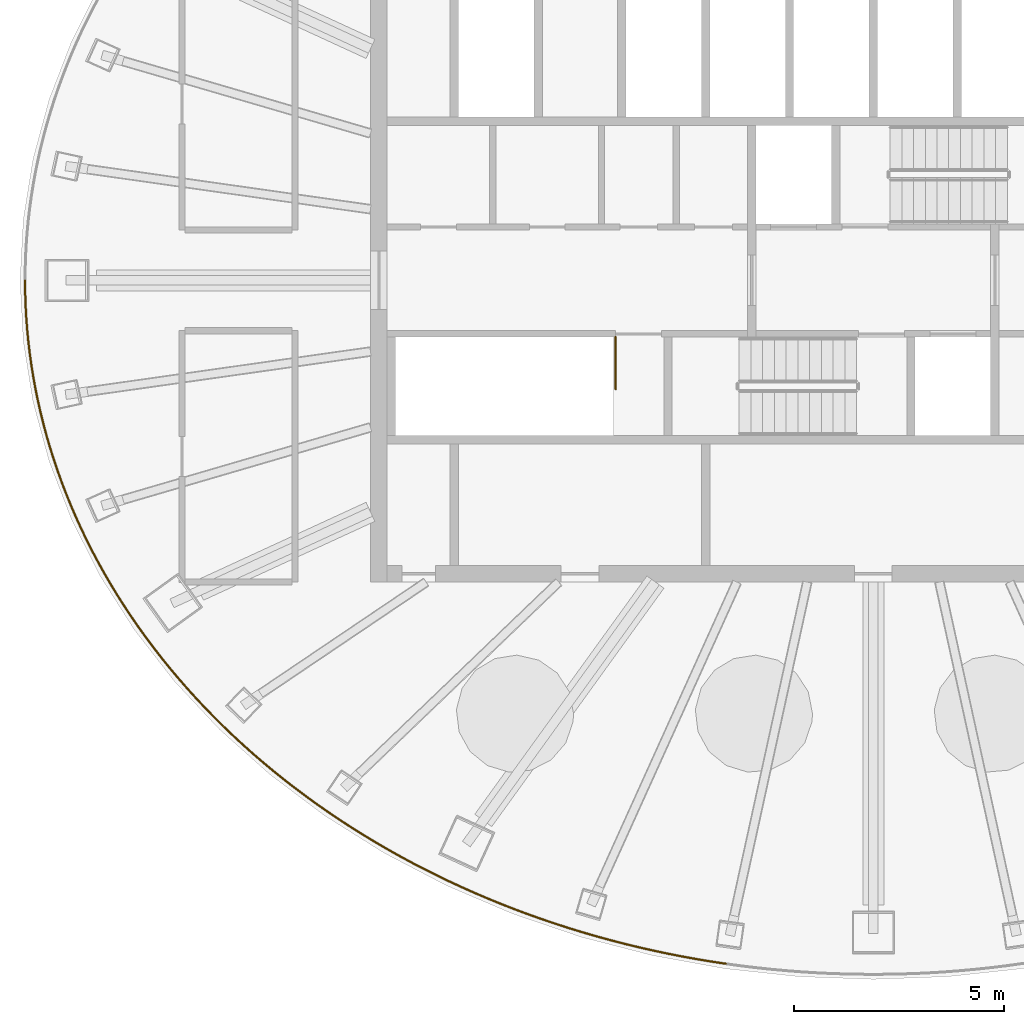
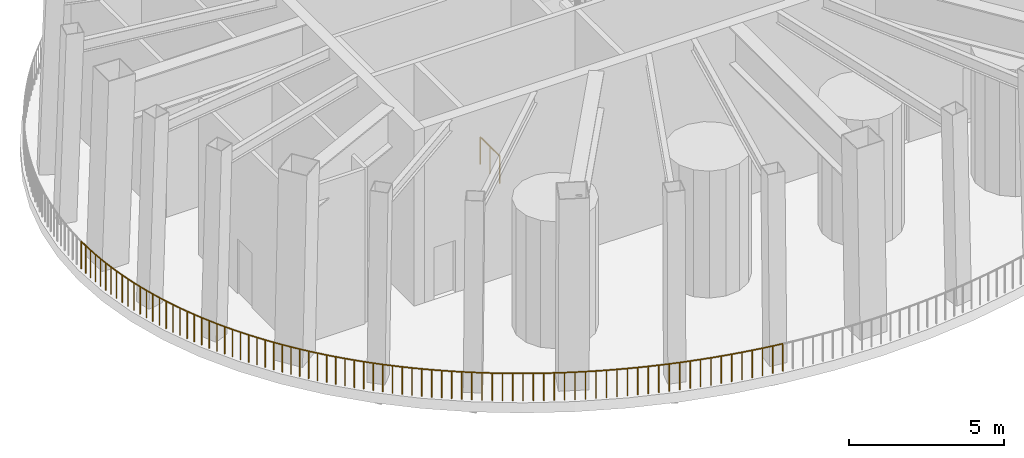
# One storey, part 6 of 12: 9 railings.
"""IFC4 building model written with IfcOpenShell, lengths in metres."""

import ifcopenshell
import ifcopenshell.guid

model = None  # the IFC model being written
_history = None  # IfcOwnerHistory: only IFC2X3 demands one
_inside = {}  # id of a spatial element -> (the spatial element, [elements in it])
_under = {}  # id of a project, library or spatial element -> (it, [spatial elements below it])
_declared = {}  # id of a project -> (the project, [libraries it declares])
_typed = {}  # id of a type object -> (the type object, [elements of that type])
_made_of = {}  # id of a material, layer set ... -> (it, [elements and type objects made of it])


def new_model(schema):
    """Start an empty IFC model of exactly this schema.

    Asked for "IFC4X3", IfcOpenShell would pick the latest addendum, in which some entities
    have other attributes; the version numbers below select the first issue.
    IFC2X3 requires an IfcOwnerHistory on every rooted entity: one is made here for all.
    """
    global model, _history
    if schema == "IFC4X3":
        model = ifcopenshell.file(schema_version=(4, 3, 0, 0))
    else:
        model = ifcopenshell.file(schema=schema)
    _inside.clear()
    _under.clear()
    _declared.clear()
    _typed.clear()
    _made_of.clear()
    _history = None
    if model.schema == "IFC2X3":
        org = make("IfcOrganization", Name="unknown")
        user = make(
            "IfcPersonAndOrganization",
            ThePerson=make("IfcPerson", FamilyName="unknown"),
            TheOrganization=org,
        )
        app = make(
            "IfcApplication",
            ApplicationDeveloper=org,
            Version="unknown",
            ApplicationFullName="unknown",
            ApplicationIdentifier="unknown",
        )
        _history = make(
            "IfcOwnerHistory",
            OwningUser=user,
            OwningApplication=app,
            ChangeAction="ADDED",
            CreationDate=0,
        )
    return model


def make(cls, **values):
    """One entity of the class cls with the attributes given. An attribute that is None is left unset."""
    return model.create_entity(
        cls, **{name: value for name, value in values.items() if value is not None}
    )


def rooted(cls, **values):
    """An entity with a GlobalId (a new one), such as an element, a storey or a relation."""
    return make(cls, GlobalId=ifcopenshell.guid.new(), OwnerHistory=_history, **values)


def si_unit(unit_type, name, prefix=None):
    """IfcSIUnit, for example si_unit("LENGTHUNIT", "METRE", prefix="MILLI")."""
    return make("IfcSIUnit", UnitType=unit_type, Prefix=prefix, Name=name)


def assignment(units):
    """IfcUnitAssignment: the units of a project."""
    return None if units is None else make("IfcUnitAssignment", Units=units)


def point(xyz):
    """IfcCartesianPoint."""
    return None if xyz is None else make("IfcCartesianPoint", Coordinates=xyz)


def direction(xyz):
    """IfcDirection."""
    return None if xyz is None else make("IfcDirection", DirectionRatios=xyz)


def frame(location, z_axis=None, x_axis=None):
    """IfcAxis2Placement3D, a coordinate frame: its origin and axes. An axis left out is left unset."""
    return make(
        "IfcAxis2Placement3D",
        Location=point(location),
        Axis=direction(z_axis),
        RefDirection=direction(x_axis),
    )


def frame_2d(location, x_axis=None):
    """IfcAxis2Placement2D, a coordinate frame in the plane: its origin and x axis."""
    return make(
        "IfcAxis2Placement2D", Location=point(location), RefDirection=direction(x_axis)
    )


def origin():
    """The frame at (0, 0, 0) with its axes left unset."""
    return frame((0.0, 0.0, 0.0))


def origin_2d():
    """The frame at (0, 0) in the plane with its x axis left unset."""
    return frame_2d((0.0, 0.0))


def place(relative_to, where):
    """IfcLocalPlacement: puts the frame where relative to a parent placement (None: the world)."""
    return make(
        "IfcLocalPlacement", PlacementRelTo=relative_to, RelativePlacement=where
    )


def context(
    kind, dimensions, precision=None, world=None, true_north=None, identifier=None
):
    """IfcGeometricRepresentationContext, for example the 3D "Model" context."""
    return make(
        "IfcGeometricRepresentationContext",
        ContextIdentifier=identifier,
        ContextType=kind,
        CoordinateSpaceDimension=dimensions,
        Precision=precision,
        WorldCoordinateSystem=world,
        TrueNorth=true_north,
    )


def subcontext(parent, identifier, kind, view, scale=None):
    """IfcGeometricRepresentationSubContext, for example "Body" below "Model"."""
    return make(
        "IfcGeometricRepresentationSubContext",
        ContextIdentifier=identifier,
        ContextType=kind,
        ParentContext=parent,
        TargetScale=scale,
        TargetView=view,
    )


def project(units=None, contexts=None):
    """IfcProject with its units and contexts."""
    return rooted(
        "IfcProject",
        Name="project",
        RepresentationContexts=contexts,
        UnitsInContext=assignment(units),
    )


def spatial(cls, under=None, at=None, **own):
    """A site, building, storey or space (cls), placed at a placement, below another one or the project."""
    s = rooted(cls, ObjectPlacement=at, **own)
    if under is not None:
        _under.setdefault(under.id(), (under, []))[1].append(s)
    return s


def profile(cls, at=None, kind="AREA", **sizes):
    """A parametric profile (cls). Its sizes go by their IFC names, for example OverallWidth=200.0."""
    return make(cls, ProfileType=kind, Position=at, **sizes)


def circle(**sizes):
    """IfcCircleProfileDef."""
    return profile("IfcCircleProfileDef", **sizes)


def extrude(swept, where, along, depth):
    """IfcExtrudedAreaSolid: the profile swept, set in the frame where, extruded along a direction by depth."""
    return make(
        "IfcExtrudedAreaSolid",
        SweptArea=swept,
        Position=where,
        ExtrudedDirection=direction(along),
        Depth=depth,
    )


def shape(context_of_items, identifier, shape_type, items):
    """IfcShapeRepresentation: the items that make up one representation, for example the "Body"."""
    return make(
        "IfcShapeRepresentation",
        ContextOfItems=context_of_items,
        RepresentationIdentifier=identifier,
        RepresentationType=shape_type,
        Items=items,
    )


def material(Name=None, Category=None):
    """IfcMaterial."""
    return make("IfcMaterial", Name=Name, Category=Category)


def made_of(thing, what):
    """Note that an element or type object is made of a material, layer set ...; save() writes the relation."""
    if what is not None:
        _made_of.setdefault(what.id(), (what, []))[1].append(thing)
    return thing


def type_object(cls, material=None, **own):
    """A type object (cls), such as IfcWallType, which elements share."""
    return made_of(rooted(cls, **own), material)


def element(
    cls,
    number,
    at=None,
    inside=None,
    cuts=None,
    type_object=None,
    material=None,
    context=None,
    identifier="Body",
    shape_type=None,
    held_by="IfcProductDefinitionShape",
    body=None,
    shapes=None,
    **own,
):
    """One element of the class cls, such as IfcWall. Its Tag is "e" and its number.

    at: its placement. inside: the storey or other place that contains it. cuts: it is an
    opening in that element (IfcRelVoidsElement). A single representation is given by context,
    identifier, shape_type and body (its items); several are given by shapes. held_by: the class
    of the entity that holds the representations. save() writes the other relations.
    """
    e = rooted(cls, Tag="e%d" % number, ObjectPlacement=at, **own)
    if body is not None:
        shapes = [shape(context, identifier, shape_type, body)]
    if shapes is not None:
        e.Representation = make(held_by, Representations=shapes)
    if inside is not None:
        _inside.setdefault(inside.id(), (inside, []))[1].append(e)
    if cuts is not None:
        rooted(
            "IfcRelVoidsElement", RelatingBuildingElement=cuts, RelatedOpeningElement=e
        )
    if type_object is not None:
        _typed.setdefault(type_object.id(), (type_object, []))[1].append(e)
    return made_of(e, material)


def aggregate(whole, parts):
    """IfcRelAggregates: a whole, such as a stair, and the parts it consists of."""
    return rooted("IfcRelAggregates", RelatingObject=whole, RelatedObjects=parts)


def save(model, path):
    """Write the relations noted so far, then the file.

    IfcRelAggregates (storeys below a building ...), IfcRelContainedInSpatialStructure (elements
    in a storey), IfcRelDefinesByType, IfcRelAssociatesMaterial and IfcRelDeclares: one each for
    every whole, place, type object, material and project.
    """
    for whole, parts in _under.values():
        aggregate(whole, parts)
    for where, things in _inside.values():
        rooted(
            "IfcRelContainedInSpatialStructure",
            RelatedElements=things,
            RelatingStructure=where,
        )
    for kind, things in _typed.values():
        rooted("IfcRelDefinesByType", RelatedObjects=things, RelatingType=kind)
    for what, things in _made_of.values():
        rooted("IfcRelAssociatesMaterial", RelatedObjects=things, RelatingMaterial=what)
    for by, libraries in _declared.values():
        rooted("IfcRelDeclares", RelatingContext=by, RelatedDefinitions=libraries)
    model.write(path)


model = new_model("IFC4")

# Units and contexts
model_context = context("Model", 3, precision=1e-05, world=origin(), true_north=direction((0.0, 1.0)))
body_context = subcontext(model_context, "Body", "Model", "MODEL_VIEW")
ifc_project = project(units=[si_unit("LENGTHUNIT", "METRE"), si_unit("AREAUNIT", "SQUARE_METRE"), si_unit("VOLUMEUNIT", "CUBIC_METRE"), si_unit("PLANEANGLEUNIT", "RADIAN"), si_unit("MASSUNIT", "GRAM", prefix="KILO")], contexts=[model_context])

# Site, building, storey
site_placement = place(None, origin())
site = spatial("IfcSite", under=ifc_project, at=site_placement, CompositionType="ELEMENT")
building_placement = place(site_placement, origin())
building = spatial("IfcBuilding", under=site, at=building_placement, Name="Siaravel Broadcast Tower", CompositionType="ELEMENT")
storey_placement = place(building_placement, frame((0.0, 0.0, 265.199951171875)))
storey = spatial("IfcBuildingStorey", under=building, at=storey_placement, Name="L65", CompositionType="ELEMENT", Elevation=265.199951171875)

# Railings
ifc_material_1 = material(Name="Steel S355", Category="steel")
railing_type_1 = type_object("IfcRailingType", Name="Guard 1100", PredefinedType="GUARDRAIL", material=ifc_material_1)
railing_1_placement = place(storey_placement, frame((-20.243408203125, 0.0, 0.0)))
element("IfcRailing", 1, at=railing_1_placement, inside=storey, type_object=railing_type_1, Name="L65 turbine slot guard 19", PredefinedType="GUARDRAIL", context=body_context, shape_type="SweptSolid", body=[
    extrude(circle(Radius=0.02392578125, at=origin_2d()), frame((0.0, 0.0, 1.076171875), z_axis=(0.010134615, -0.999948643, 0.0), x_axis=(0.999948643, 0.010134615, 0.0)), (0.0, 0.0, 1.0), 0.2890625),
    extrude(circle(Radius=0.02392578125, at=origin_2d()), frame((0.0029296875, -0.2890625, 1.076171875), z_axis=(0.032105166, -0.999484496, 0.0), x_axis=(0.999484496, 0.032105166, 0.0)), (0.0, 0.0, 1.0), 0.2890625),
    extrude(circle(Radius=0.02392578125, at=origin_2d()), frame((0.01220703125, -0.577880859375, 1.076171875), z_axis=(0.053179082, -0.998584991, 0.0), x_axis=(0.998584991, 0.053179082, 0.0)), (0.0, 0.0, 1.0), 0.289306640625),
    extrude(circle(Radius=0.02392578125, at=origin_2d()), frame((0.027587890625, -0.86669921875, 1.076171875), z_axis=(0.075083566, -0.997177245, 0.0), x_axis=(0.997177245, 0.075083566, 0.0)), (0.0, 0.0, 1.0), 0.289306640625),
    extrude(circle(Radius=0.02392578125, at=origin_2d()), frame((0.04931640625, -1.1552734375, 1.076171875), z_axis=(0.095326613, -0.995446049, 0.0), x_axis=(0.995446049, 0.095326613, 0.0)), (0.0, 0.0, 1.0), 0.289306640625),
    extrude(circle(Radius=0.02392578125, at=origin_2d()), frame((0.076904296875, -1.443359375, 1.076171875), z_axis=(0.117183639, -0.993110263, 0.0), x_axis=(0.993110263, 0.117183639, 0.0)), (0.0, 0.0, 1.0), 0.28955078125),
    extrude(circle(Radius=0.02392578125, at=origin_2d()), frame((0.11083984375, -1.73095703125, 1.076171875), z_axis=(0.138004072, -0.990431662, 0.0), x_axis=(0.990431662, 0.138004072, 0.0)), (0.0, 0.0, 1.0), 0.2900390625),
    extrude(circle(Radius=0.02392578125, at=origin_2d()), frame((0.15087890625, -2.018310546875, 1.076171875), z_axis=(0.159073665, -0.987266716, 0.0), x_axis=(0.987266716, 0.159073665, 0.0)), (0.0, 0.0, 1.0), 0.2900390625),
    extrude(circle(Radius=0.02392578125, at=origin_2d()), frame((0.197021484375, -2.3046875, 1.076171875), z_axis=(0.178959374, -0.983856464, 0.0), x_axis=(0.983856464, 0.178959374, 0.0)), (0.0, 0.0, 1.0), 0.29052734375),
    extrude(circle(Radius=0.02392578125, at=origin_2d()), frame((0.2490234375, -2.590576171875, 1.076171875), z_axis=(0.200634296, -0.979666208, 0.0), x_axis=(0.979666208, 0.200634296, 0.0)), (0.0, 0.0, 1.0), 0.290771484375),
    extrude(circle(Radius=0.02099609375, at=origin_2d()), origin(), (0.0, 0.0, 1.0), 1.052001953125),
    extrude(circle(Radius=0.02099609375, at=origin_2d()), frame((0.0029296875, -0.2890625, 0.0)), (0.0, 0.0, 1.0), 1.052001953125),
    extrude(circle(Radius=0.02099609375, at=origin_2d()), frame((0.01220703125, -0.577880859375, 0.0)), (0.0, 0.0, 1.0), 1.052001953125),
    extrude(circle(Radius=0.02099609375, at=origin_2d()), frame((0.027587890625, -0.86669921875, 0.0)), (0.0, 0.0, 1.0), 1.052001953125),
    extrude(circle(Radius=0.02099609375, at=origin_2d()), frame((0.04931640625, -1.1552734375, 0.0)), (0.0, 0.0, 1.0), 1.052001953125),
    extrude(circle(Radius=0.02099609375, at=origin_2d()), frame((0.076904296875, -1.443359375, 0.0)), (0.0, 0.0, 1.0), 1.052001953125),
    extrude(circle(Radius=0.02099609375, at=origin_2d()), frame((0.11083984375, -1.73095703125, 0.0)), (0.0, 0.0, 1.0), 1.052001953125),
    extrude(circle(Radius=0.02099609375, at=origin_2d()), frame((0.15087890625, -2.018310546875, 0.0)), (0.0, 0.0, 1.0), 1.052001953125),
    extrude(circle(Radius=0.02099609375, at=origin_2d()), frame((0.197021484375, -2.3046875, 0.0)), (0.0, 0.0, 1.0), 1.052001953125),
    extrude(circle(Radius=0.02099609375, at=origin_2d()), frame((0.2490234375, -2.590576171875, 0.0)), (0.0, 0.0, 1.0), 1.052001953125),
    extrude(circle(Radius=0.02099609375, at=origin_2d()), frame((0.307373046875, -2.87548828125, 0.0)), (0.0, 0.0, 1.0), 1.052001953125),
])
railing_2_placement = place(storey_placement, frame((-19.93603515625, -2.87548828125, 0.0)))
element("IfcRailing", 2, at=railing_2_placement, inside=storey, type_object=railing_type_1, Name="L65 turbine slot guard 20", PredefinedType="GUARDRAIL", context=body_context, shape_type="SweptSolid", body=[
    extrude(circle(Radius=0.02392578125, at=origin_2d()), frame((0.0, 0.0, 1.076171875), z_axis=(0.221005948, -0.97527246, 0.0), x_axis=(0.97527246, 0.221005948, 0.0)), (0.0, 0.0, 1.0), 0.291748046875),
    extrude(circle(Radius=0.02392578125, at=origin_2d()), frame((0.064453125, -0.284423828125, 1.076171875), z_axis=(0.241748252, -0.970339004, 0.0), x_axis=(0.970339004, 0.241748252, 0.0)), (0.0, 0.0, 1.0), 0.291748046875),
    extrude(circle(Radius=0.02392578125, at=origin_2d()), frame((0.135009765625, -0.567626953125, 1.076171875), z_axis=(0.261561451, -0.965186825, 0.0), x_axis=(0.965186825, 0.261561451, 0.0)), (0.0, 0.0, 1.0), 0.292236328125),
    extrude(circle(Radius=0.02392578125, at=origin_2d()), frame((0.21142578125, -0.849609375, 1.076171875), z_axis=(0.281760113, -0.959484882, 0.0), x_axis=(0.959484882, 0.281760113, 0.0)), (0.0, 0.0, 1.0), 0.29296875),
    extrude(circle(Radius=0.02392578125, at=origin_2d()), frame((0.2939453125, -1.130615234375, 1.076171875), z_axis=(0.301211011, -0.953557511, 0.0), x_axis=(0.953557511, 0.301211011, 0.0)), (0.0, 0.0, 1.0), 0.29345703125),
    extrude(circle(Radius=0.02392578125, at=origin_2d()), frame((0.38232421875, -1.410400390625, 1.076171875), z_axis=(0.320951026, -0.947095792, 0.0), x_axis=(0.947095792, 0.320951026, 0.0)), (0.0, 0.0, 1.0), 0.29443359375),
    extrude(circle(Radius=0.02392578125, at=origin_2d()), frame((0.476806640625, -1.689208984375, 1.076171875), z_axis=(0.340478966, -0.940252133, 0.0), x_axis=(0.940252133, 0.340478966, 0.0)), (0.0, 0.0, 1.0), 0.294677734375),
    extrude(circle(Radius=0.02392578125, at=origin_2d()), frame((0.5771484375, -1.96630859375, 1.076171875), z_axis=(0.359810351, -0.933025461, 0.0), x_axis=(0.933025461, 0.359810351, 0.0)), (0.0, 0.0, 1.0), 0.295166015625),
    extrude(circle(Radius=0.02392578125, at=origin_2d()), frame((0.683349609375, -2.24169921875, 1.076171875), z_axis=(0.378343965, -0.925665082, 0.0), x_axis=(0.925665082, 0.378343965, 0.0)), (0.0, 0.0, 1.0), 0.296142578125),
    extrude(circle(Radius=0.02392578125, at=origin_2d()), frame((0.79541015625, -2.515869140625, 1.076171875), z_axis=(0.397191994, -0.917735539, 0.0), x_axis=(0.917735539, 0.397191994, 0.0)), (0.0, 0.0, 1.0), 0.296875),
    extrude(circle(Radius=0.02099609375, at=origin_2d()), origin(), (0.0, 0.0, 1.0), 1.052001953125),
    extrude(circle(Radius=0.02099609375, at=origin_2d()), frame((0.064453125, -0.284423828125, 0.0)), (0.0, 0.0, 1.0), 1.052001953125),
    extrude(circle(Radius=0.02099609375, at=origin_2d()), frame((0.135009765625, -0.567626953125, 0.0)), (0.0, 0.0, 1.0), 1.052001953125),
    extrude(circle(Radius=0.02099609375, at=origin_2d()), frame((0.21142578125, -0.849609375, 0.0)), (0.0, 0.0, 1.0), 1.052001953125),
    extrude(circle(Radius=0.02099609375, at=origin_2d()), frame((0.2939453125, -1.130615234375, 0.0)), (0.0, 0.0, 1.0), 1.052001953125),
    extrude(circle(Radius=0.02099609375, at=origin_2d()), frame((0.38232421875, -1.410400390625, 0.0)), (0.0, 0.0, 1.0), 1.052001953125),
    extrude(circle(Radius=0.02099609375, at=origin_2d()), frame((0.476806640625, -1.689208984375, 0.0)), (0.0, 0.0, 1.0), 1.052001953125),
    extrude(circle(Radius=0.02099609375, at=origin_2d()), frame((0.5771484375, -1.96630859375, 0.0)), (0.0, 0.0, 1.0), 1.052001953125),
    extrude(circle(Radius=0.02099609375, at=origin_2d()), frame((0.683349609375, -2.24169921875, 0.0)), (0.0, 0.0, 1.0), 1.052001953125),
    extrude(circle(Radius=0.02099609375, at=origin_2d()), frame((0.79541015625, -2.515869140625, 0.0)), (0.0, 0.0, 1.0), 1.052001953125),
    extrude(circle(Radius=0.02099609375, at=origin_2d()), frame((0.913330078125, -2.788330078125, 0.0)), (0.0, 0.0, 1.0), 1.052001953125),
])
railing_3_placement = place(storey_placement, frame((-19.022705078125, -5.663818359375, 0.0)))
element("IfcRailing", 3, at=railing_3_placement, inside=storey, type_object=railing_type_1, Name="L65 turbine slot guard 21", PredefinedType="GUARDRAIL", context=body_context, shape_type="SweptSolid", body=[
    extrude(circle(Radius=0.02392578125, at=origin_2d()), frame((0.0, 0.0, 1.076171875), z_axis=(0.415779141, -0.909465616, 0.0), x_axis=(0.909465616, 0.415779141, 0.0)), (0.0, 0.0, 1.0), 0.297607421875),
    extrude(circle(Radius=0.02392578125, at=origin_2d()), frame((0.123779296875, -0.270751953125, 1.076171875), z_axis=(0.434085971, -0.90087145, 0.0), x_axis=(0.90087145, 0.434085971, 0.0)), (0.0, 0.0, 1.0), 0.298583984375),
    extrude(circle(Radius=0.02392578125, at=origin_2d()), frame((0.25341796875, -0.539794921875, 1.076171875), z_axis=(0.451453693, -0.89229455, 0.0), x_axis=(0.89229455, 0.451453693, 0.0)), (0.0, 0.0, 1.0), 0.299072265625),
    extrude(circle(Radius=0.02392578125, at=origin_2d()), frame((0.388427734375, -0.806640625, 1.076171875), z_axis=(0.469194862, -0.883094662, 0.0), x_axis=(0.883094662, 0.469194862, 0.0)), (0.0, 0.0, 1.0), 0.30029296875),
    extrude(circle(Radius=0.02392578125, at=origin_2d()), frame((0.529296875, -1.07177734375, 1.076171875), z_axis=(0.487294272, -0.873237821, 0.0), x_axis=(0.873237821, 0.487294272, 0.0)), (0.0, 0.0, 1.0), 0.301025390625),
    extrude(circle(Radius=0.02392578125, at=origin_2d()), frame((0.676025390625, -1.334716796875, 1.076171875), z_axis=(0.503519221, -0.863984024, 0.0), x_axis=(0.863984024, 0.503519221, 0.0)), (0.0, 0.0, 1.0), 0.302001953125),
    extrude(circle(Radius=0.02392578125, at=origin_2d()), frame((0.828125, -1.595703125, 1.076171875), z_axis=(0.520177191, -0.854058365, 0.0), x_axis=(0.854058365, 0.520177191, 0.0)), (0.0, 0.0, 1.0), 0.302734375),
    extrude(circle(Radius=0.02392578125, at=origin_2d()), frame((0.985595703125, -1.854248046875, 1.076171875), z_axis=(0.537343158, -0.8433637, 0.0), x_axis=(0.8433637, 0.537343158, 0.0)), (0.0, 0.0, 1.0), 0.303955078125),
    extrude(circle(Radius=0.02392578125, at=origin_2d()), frame((1.14892578125, -2.110595703125, 1.076171875), z_axis=(0.552849831, -0.833280904, 0.0), x_axis=(0.833280904, 0.552849831, 0.0)), (0.0, 0.0, 1.0), 0.3046875),
    extrude(circle(Radius=0.02392578125, at=origin_2d()), frame((1.3173828125, -2.364501953125, 1.076171875), z_axis=(0.568255054, -0.822852473, 0.0), x_axis=(0.822852473, 0.568255054, 0.0)), (0.0, 0.0, 1.0), 0.305908203125),
    extrude(circle(Radius=0.02099609375, at=origin_2d()), origin(), (0.0, 0.0, 1.0), 1.052001953125),
    extrude(circle(Radius=0.02099609375, at=origin_2d()), frame((0.123779296875, -0.270751953125, 0.0)), (0.0, 0.0, 1.0), 1.052001953125),
    extrude(circle(Radius=0.02099609375, at=origin_2d()), frame((0.25341796875, -0.539794921875, 0.0)), (0.0, 0.0, 1.0), 1.052001953125),
    extrude(circle(Radius=0.02099609375, at=origin_2d()), frame((0.388427734375, -0.806640625, 0.0)), (0.0, 0.0, 1.0), 1.052001953125),
    extrude(circle(Radius=0.02099609375, at=origin_2d()), frame((0.529296875, -1.07177734375, 0.0)), (0.0, 0.0, 1.0), 1.052001953125),
    extrude(circle(Radius=0.02099609375, at=origin_2d()), frame((0.676025390625, -1.334716796875, 0.0)), (0.0, 0.0, 1.0), 1.052001953125),
    extrude(circle(Radius=0.02099609375, at=origin_2d()), frame((0.828125, -1.595703125, 0.0)), (0.0, 0.0, 1.0), 1.052001953125),
    extrude(circle(Radius=0.02099609375, at=origin_2d()), frame((0.985595703125, -1.854248046875, 0.0)), (0.0, 0.0, 1.0), 1.052001953125),
    extrude(circle(Radius=0.02099609375, at=origin_2d()), frame((1.14892578125, -2.110595703125, 0.0)), (0.0, 0.0, 1.0), 1.052001953125),
    extrude(circle(Radius=0.02099609375, at=origin_2d()), frame((1.3173828125, -2.364501953125, 0.0)), (0.0, 0.0, 1.0), 1.052001953125),
    extrude(circle(Radius=0.02099609375, at=origin_2d()), frame((1.4912109375, -2.6162109375, 0.0)), (0.0, 0.0, 1.0), 1.052001953125),
])
railing_4_placement = place(storey_placement, frame((-17.531494140625, -8.280029296875, 0.0)))
element("IfcRailing", 4, at=railing_4_placement, inside=storey, type_object=railing_type_1, Name="L65 turbine slot guard 22", PredefinedType="GUARDRAIL", context=body_context, shape_type="SweptSolid", body=[
    extrude(circle(Radius=0.02392578125, at=origin_2d()), frame((0.0, 0.0, 1.076171875), z_axis=(0.584618987, -0.811307981, 0.0), x_axis=(0.811307981, 0.584618987, 0.0)), (0.0, 0.0, 1.0), 0.306884765625),
    extrude(circle(Radius=0.02392578125, at=origin_2d()), frame((0.179443359375, -0.2490234375, 1.076171875), z_axis=(0.599619221, -0.800285442, 0.0), x_axis=(0.800285442, 0.599619221, 0.0)), (0.0, 0.0, 1.0), 0.307861328125),
    extrude(circle(Radius=0.02392578125, at=origin_2d()), frame((0.364013671875, -0.495361328125, 1.076171875), z_axis=(0.614432575, -0.788969335, 0.0), x_axis=(0.788969335, 0.614432575, 0.0)), (0.0, 0.0, 1.0), 0.30908203125),
    extrude(circle(Radius=0.02392578125, at=origin_2d()), frame((0.553955078125, -0.7392578125, 1.076171875), z_axis=(0.628722149, -0.777630027, 0.0), x_axis=(0.777630027, 0.628722149, 0.0)), (0.0, 0.0, 1.0), 0.309814453125),
    extrude(circle(Radius=0.02392578125, at=origin_2d()), frame((0.748779296875, -0.980224609375, 1.076171875), z_axis=(0.643652185, -0.765318146, 0.0), x_axis=(0.765318146, 0.643652185, 0.0)), (0.0, 0.0, 1.0), 0.31103515625),
    extrude(circle(Radius=0.02392578125, at=origin_2d()), frame((0.948974609375, -1.21826171875, 1.076171875), z_axis=(0.657397085, -0.75354434, 0.0), x_axis=(0.75354434, 0.657397085, 0.0)), (0.0, 0.0, 1.0), 0.312255859375),
    extrude(circle(Radius=0.02392578125, at=origin_2d()), frame((1.154296875, -1.45361328125, 1.076171875), z_axis=(0.670341645, -0.742052612, 0.0), x_axis=(0.742052612, 0.670341645, 0.0)), (0.0, 0.0, 1.0), 0.313232421875),
    extrude(circle(Radius=0.02392578125, at=origin_2d()), frame((1.3642578125, -1.68603515625, 1.076171875), z_axis=(0.684225255, -0.729270732, 0.0), x_axis=(0.729270732, 0.684225255, 0.0)), (0.0, 0.0, 1.0), 0.314453125),
    extrude(circle(Radius=0.02392578125, at=origin_2d()), frame((1.579345703125, -1.915283203125, 1.076171875), z_axis=(0.697365706, -0.716715475, 0.0), x_axis=(0.716715475, 0.697365706, 0.0)), (0.0, 0.0, 1.0), 0.3154296875),
    extrude(circle(Radius=0.02392578125, at=origin_2d()), frame((1.79931640625, -2.141357421875, 1.076171875), z_axis=(0.709799027, -0.704404246, 0.0), x_axis=(0.704404246, 0.709799027, 0.0)), (0.0, 0.0, 1.0), 0.31689453125),
    extrude(circle(Radius=0.02099609375, at=origin_2d()), origin(), (0.0, 0.0, 1.0), 1.052001953125),
    extrude(circle(Radius=0.02099609375, at=origin_2d()), frame((0.179443359375, -0.2490234375, 0.0)), (0.0, 0.0, 1.0), 1.052001953125),
    extrude(circle(Radius=0.02099609375, at=origin_2d()), frame((0.364013671875, -0.495361328125, 0.0)), (0.0, 0.0, 1.0), 1.052001953125),
    extrude(circle(Radius=0.02099609375, at=origin_2d()), frame((0.553955078125, -0.7392578125, 0.0)), (0.0, 0.0, 1.0), 1.052001953125),
    extrude(circle(Radius=0.02099609375, at=origin_2d()), frame((0.748779296875, -0.980224609375, 0.0)), (0.0, 0.0, 1.0), 1.052001953125),
    extrude(circle(Radius=0.02099609375, at=origin_2d()), frame((0.948974609375, -1.21826171875, 0.0)), (0.0, 0.0, 1.0), 1.052001953125),
    extrude(circle(Radius=0.02099609375, at=origin_2d()), frame((1.154296875, -1.45361328125, 0.0)), (0.0, 0.0, 1.0), 1.052001953125),
    extrude(circle(Radius=0.02099609375, at=origin_2d()), frame((1.3642578125, -1.68603515625, 0.0)), (0.0, 0.0, 1.0), 1.052001953125),
    extrude(circle(Radius=0.02099609375, at=origin_2d()), frame((1.579345703125, -1.915283203125, 0.0)), (0.0, 0.0, 1.0), 1.052001953125),
    extrude(circle(Radius=0.02099609375, at=origin_2d()), frame((1.79931640625, -2.141357421875, 0.0)), (0.0, 0.0, 1.0), 1.052001953125),
    extrude(circle(Radius=0.02099609375, at=origin_2d()), frame((2.024169921875, -2.364501953125, 0.0)), (0.0, 0.0, 1.0), 1.052001953125),
])
railing_5_placement = place(storey_placement, frame((-15.50732421875, -10.64453125, 0.0)))
element("IfcRailing", 5, at=railing_5_placement, inside=storey, type_object=railing_type_1, Name="L65 turbine slot guard 23", PredefinedType="GUARDRAIL", context=body_context, shape_type="SweptSolid", body=[
    extrude(circle(Radius=0.02392578125, at=origin_2d()), frame((0.0, 0.0, 1.076171875), z_axis=(0.721940194, -0.691955458, 0.0), x_axis=(0.691955458, 0.721940194, 0.0)), (0.0, 0.0, 1.0), 0.317626953125),
    extrude(circle(Radius=0.02392578125, at=origin_2d()), frame((0.229248046875, -0.2197265625, 1.076171875), z_axis=(0.734128059, -0.679011041, 0.0), x_axis=(0.679011041, 0.734128059, 0.0)), (0.0, 0.0, 1.0), 0.31884765625),
    extrude(circle(Radius=0.02392578125, at=origin_2d()), frame((0.46337890625, -0.436279296875, 1.076171875), z_axis=(0.746018863, -0.665924813, 0.0), x_axis=(0.665924813, 0.746018863, 0.0)), (0.0, 0.0, 1.0), 0.320068359375),
    extrude(circle(Radius=0.02392578125, at=origin_2d()), frame((0.7021484375, -0.6494140625, 1.076171875), z_axis=(0.757643412, -0.652668722, 0.0), x_axis=(0.652668722, 0.757643412, 0.0)), (0.0, 0.0, 1.0), 0.321044921875),
    extrude(circle(Radius=0.02392578125, at=origin_2d()), frame((0.9453125, -0.85888671875, 1.076171875), z_axis=(0.768531507, -0.639811944, 0.0), x_axis=(0.639811944, 0.768531507, 0.0)), (0.0, 0.0, 1.0), 0.322509765625),
    extrude(circle(Radius=0.02392578125, at=origin_2d()), frame((1.193115234375, -1.065185546875, 1.076171875), z_axis=(0.779245516, -0.626718777, 0.0), x_axis=(0.626718777, 0.779245516, 0.0)), (0.0, 0.0, 1.0), 0.3232421875),
    extrude(circle(Radius=0.02392578125, at=origin_2d()), frame((1.445068359375, -1.267822265625, 1.076171875), z_axis=(0.790323933, -0.61268922, 0.0), x_axis=(0.61268922, 0.790323933, 0.0)), (0.0, 0.0, 1.0), 0.324462890625),
    extrude(circle(Radius=0.02392578125, at=origin_2d()), frame((1.701416015625, -1.466552734375, 1.076171875), z_axis=(0.800089973, -0.599880017, 0.0), x_axis=(0.599880017, 0.800089973, 0.0)), (0.0, 0.0, 1.0), 0.32568359375),
    extrude(circle(Radius=0.02392578125, at=origin_2d()), frame((1.9619140625, -1.661865234375, 1.076171875), z_axis=(0.809672613, -0.586881811, 0.0), x_axis=(0.586881811, 0.809672613, 0.0)), (0.0, 0.0, 1.0), 0.32666015625),
    extrude(circle(Radius=0.02392578125, at=origin_2d()), frame((2.226318359375, -1.853515625, 1.076171875), z_axis=(0.819826176, -0.57261247, 0.0), x_axis=(0.57261247, 0.819826176, 0.0)), (0.0, 0.0, 1.0), 0.327880859375),
    extrude(circle(Radius=0.02099609375, at=origin_2d()), origin(), (0.0, 0.0, 1.0), 1.052001953125),
    extrude(circle(Radius=0.02099609375, at=origin_2d()), frame((0.229248046875, -0.2197265625, 0.0)), (0.0, 0.0, 1.0), 1.052001953125),
    extrude(circle(Radius=0.02099609375, at=origin_2d()), frame((0.46337890625, -0.436279296875, 0.0)), (0.0, 0.0, 1.0), 1.052001953125),
    extrude(circle(Radius=0.02099609375, at=origin_2d()), frame((0.7021484375, -0.6494140625, 0.0)), (0.0, 0.0, 1.0), 1.052001953125),
    extrude(circle(Radius=0.02099609375, at=origin_2d()), frame((0.9453125, -0.85888671875, 0.0)), (0.0, 0.0, 1.0), 1.052001953125),
    extrude(circle(Radius=0.02099609375, at=origin_2d()), frame((1.193115234375, -1.065185546875, 0.0)), (0.0, 0.0, 1.0), 1.052001953125),
    extrude(circle(Radius=0.02099609375, at=origin_2d()), frame((1.445068359375, -1.267822265625, 0.0)), (0.0, 0.0, 1.0), 1.052001953125),
    extrude(circle(Radius=0.02099609375, at=origin_2d()), frame((1.701416015625, -1.466552734375, 0.0)), (0.0, 0.0, 1.0), 1.052001953125),
    extrude(circle(Radius=0.02099609375, at=origin_2d()), frame((1.9619140625, -1.661865234375, 0.0)), (0.0, 0.0, 1.0), 1.052001953125),
    extrude(circle(Radius=0.02099609375, at=origin_2d()), frame((2.226318359375, -1.853515625, 0.0)), (0.0, 0.0, 1.0), 1.052001953125),
    extrude(circle(Radius=0.02099609375, at=origin_2d()), frame((2.4951171875, -2.041259765625, 0.0)), (0.0, 0.0, 1.0), 1.052001953125),
])
railing_6_placement = place(storey_placement, frame((-13.01220703125, -12.685791015625, 0.0)))
element("IfcRailing", 6, at=railing_6_placement, inside=storey, type_object=railing_type_1, Name="L65 turbine slot guard 24", PredefinedType="GUARDRAIL", context=body_context, shape_type="SweptSolid", body=[
    extrude(circle(Radius=0.02392578125, at=origin_2d()), frame((0.0, 0.0, 1.076171875), z_axis=(0.829528203, -0.558464824, 0.0), x_axis=(0.558464824, 0.829528203, 0.0)), (0.0, 0.0, 1.0), 0.328857421875),
    extrude(circle(Radius=0.02392578125, at=origin_2d()), frame((0.272705078125, -0.18359375, 1.076171875), z_axis=(0.837698917, -0.546132333, 0.0), x_axis=(0.546132333, 0.837698917, 0.0)), (0.0, 0.0, 1.0), 0.329833984375),
    extrude(circle(Radius=0.02392578125, at=origin_2d()), frame((0.549072265625, -0.36376953125, 1.076171875), z_axis=(0.847168107, -0.531324945, 0.0), x_axis=(0.531324945, 0.847168107, 0.0)), (0.0, 0.0, 1.0), 0.330810546875),
    extrude(circle(Radius=0.02392578125, at=origin_2d()), frame((0.829345703125, -0.53955078125, 1.076171875), z_axis=(0.855671422, -0.517519485, 0.0), x_axis=(0.517519485, 0.855671422, 0.0)), (0.0, 0.0, 1.0), 0.33203125),
    extrude(circle(Radius=0.02392578125, at=origin_2d()), frame((1.113525390625, -0.71142578125, 1.076171875), z_axis=(0.863512914, -0.504326727, 0.0), x_axis=(0.504326727, 0.863512914, 0.0)), (0.0, 0.0, 1.0), 0.3330078125),
    extrude(circle(Radius=0.02392578125, at=origin_2d()), frame((1.401123046875, -0.87939453125, 1.076171875), z_axis=(0.871419303, -0.490538886, 0.0), x_axis=(0.490538886, 0.871419303, 0.0)), (0.0, 0.0, 1.0), 0.333984375),
    extrude(circle(Radius=0.02392578125, at=origin_2d()), frame((1.692138671875, -1.043212890625, 1.076171875), z_axis=(0.879533447, -0.475837068, 0.0), x_axis=(0.475837068, 0.879533447, 0.0)), (0.0, 0.0, 1.0), 0.3349609375),
    extrude(circle(Radius=0.02392578125, at=origin_2d()), frame((1.98681640625, -1.20263671875, 1.076171875), z_axis=(0.886895484, -0.461970129, 0.0), x_axis=(0.461970129, 0.886895484, 0.0)), (0.0, 0.0, 1.0), 0.336181640625),
    extrude(circle(Radius=0.02392578125, at=origin_2d()), frame((2.284912109375, -1.35791015625, 1.076171875), z_axis=(0.893991735, -0.448083449, 0.0), x_axis=(0.448083449, 0.893991735, 0.0)), (0.0, 0.0, 1.0), 0.336669921875),
    extrude(circle(Radius=0.02392578125, at=origin_2d()), frame((2.5859375, -1.5087890625, 1.076171875), z_axis=(0.900834276, -0.434163111, 0.0), x_axis=(0.434163111, 0.900834276, 0.0)), (0.0, 0.0, 1.0), 0.337890625),
    extrude(circle(Radius=0.02099609375, at=origin_2d()), origin(), (0.0, 0.0, 1.0), 1.052001953125),
    extrude(circle(Radius=0.02099609375, at=origin_2d()), frame((0.272705078125, -0.18359375, 0.0)), (0.0, 0.0, 1.0), 1.052001953125),
    extrude(circle(Radius=0.02099609375, at=origin_2d()), frame((0.549072265625, -0.36376953125, 0.0)), (0.0, 0.0, 1.0), 1.052001953125),
    extrude(circle(Radius=0.02099609375, at=origin_2d()), frame((0.829345703125, -0.53955078125, 0.0)), (0.0, 0.0, 1.0), 1.052001953125),
    extrude(circle(Radius=0.02099609375, at=origin_2d()), frame((1.113525390625, -0.71142578125, 0.0)), (0.0, 0.0, 1.0), 1.052001953125),
    extrude(circle(Radius=0.02099609375, at=origin_2d()), frame((1.401123046875, -0.87939453125, 0.0)), (0.0, 0.0, 1.0), 1.052001953125),
    extrude(circle(Radius=0.02099609375, at=origin_2d()), frame((1.692138671875, -1.043212890625, 0.0)), (0.0, 0.0, 1.0), 1.052001953125),
    extrude(circle(Radius=0.02099609375, at=origin_2d()), frame((1.98681640625, -1.20263671875, 0.0)), (0.0, 0.0, 1.0), 1.052001953125),
    extrude(circle(Radius=0.02099609375, at=origin_2d()), frame((2.284912109375, -1.35791015625, 0.0)), (0.0, 0.0, 1.0), 1.052001953125),
    extrude(circle(Radius=0.02099609375, at=origin_2d()), frame((2.5859375, -1.5087890625, 0.0)), (0.0, 0.0, 1.0), 1.052001953125),
    extrude(circle(Radius=0.02099609375, at=origin_2d()), frame((2.890380859375, -1.655517578125, 0.0)), (0.0, 0.0, 1.0), 1.052001953125),
])
railing_7_placement = place(storey_placement, frame((-10.121826171875, -14.34130859375, 0.0)))
element("IfcRailing", 7, at=railing_7_placement, inside=storey, type_object=railing_type_1, Name="L65 turbine slot guard 25", PredefinedType="GUARDRAIL", context=body_context, shape_type="SweptSolid", body=[
    extrude(circle(Radius=0.02392578125, at=origin_2d()), frame((0.0, 0.0, 1.076171875), z_axis=(0.907558421, -0.419925841, 0.0), x_axis=(0.419925841, 0.907558421, 0.0)), (0.0, 0.0, 1.0), 0.3388671875),
    extrude(circle(Radius=0.02392578125, at=origin_2d()), frame((0.3076171875, -0.142333984375, 1.076171875), z_axis=(0.91390041, -0.405938468, 0.0), x_axis=(0.405938468, 0.91390041, 0.0)), (0.0, 0.0, 1.0), 0.33984375),
    extrude(circle(Radius=0.02392578125, at=origin_2d()), frame((0.6181640625, -0.2802734375, 1.076171875), z_axis=(0.919885104, -0.392187959, 0.0), x_axis=(0.392187959, 0.919885104, 0.0)), (0.0, 0.0, 1.0), 0.340576171875),
    extrude(circle(Radius=0.02392578125, at=origin_2d()), frame((0.931396484375, -0.413818359375, 1.076171875), z_axis=(0.925990537, -0.377546721, 0.0), x_axis=(0.377546721, 0.925990537, 0.0)), (0.0, 0.0, 1.0), 0.341552734375),
    extrude(circle(Radius=0.02392578125, at=origin_2d()), frame((1.24755859375, -0.542724609375, 1.076171875), z_axis=(0.931495114, -0.363753835, 0.0), x_axis=(0.363753835, 0.931495114, 0.0)), (0.0, 0.0, 1.0), 0.34228515625),
    extrude(circle(Radius=0.02392578125, at=origin_2d()), frame((1.56640625, -0.667236328125, 1.076171875), z_axis=(0.936999941, -0.349329515, 0.0), x_axis=(0.349329515, 0.936999941, 0.0)), (0.0, 0.0, 1.0), 0.34326171875),
    extrude(circle(Radius=0.02392578125, at=origin_2d()), frame((1.887939453125, -0.787109375, 1.076171875), z_axis=(0.942174841, -0.335121722, 0.0), x_axis=(0.335121722, 0.942174841, 0.0)), (0.0, 0.0, 1.0), 0.34375),
    extrude(circle(Radius=0.02392578125, at=origin_2d()), frame((2.2119140625, -0.90234375, 1.076171875), z_axis=(0.9471862, -0.320684117, 0.0), x_axis=(0.320684117, 0.9471862, 0.0)), (0.0, 0.0, 1.0), 0.344970703125),
    extrude(circle(Radius=0.02392578125, at=origin_2d()), frame((2.53857421875, -1.012939453125, 1.076171875), z_axis=(0.951748596, -0.306878819, 0.0), x_axis=(0.306878819, 0.951748596, 0.0)), (0.0, 0.0, 1.0), 0.34521484375),
    extrude(circle(Radius=0.02392578125, at=origin_2d()), frame((2.8671875, -1.118896484375, 1.076171875), z_axis=(0.956417251, -0.292003497, 0.0), x_axis=(0.292003497, 0.956417251, 0.0)), (0.0, 0.0, 1.0), 0.34619140625),
    extrude(circle(Radius=0.02099609375, at=origin_2d()), origin(), (0.0, 0.0, 1.0), 1.052001953125),
    extrude(circle(Radius=0.02099609375, at=origin_2d()), frame((0.3076171875, -0.142333984375, 0.0)), (0.0, 0.0, 1.0), 1.052001953125),
    extrude(circle(Radius=0.02099609375, at=origin_2d()), frame((0.6181640625, -0.2802734375, 0.0)), (0.0, 0.0, 1.0), 1.052001953125),
    extrude(circle(Radius=0.02099609375, at=origin_2d()), frame((0.931396484375, -0.413818359375, 0.0)), (0.0, 0.0, 1.0), 1.052001953125),
    extrude(circle(Radius=0.02099609375, at=origin_2d()), frame((1.24755859375, -0.542724609375, 0.0)), (0.0, 0.0, 1.0), 1.052001953125),
    extrude(circle(Radius=0.02099609375, at=origin_2d()), frame((1.56640625, -0.667236328125, 0.0)), (0.0, 0.0, 1.0), 1.052001953125),
    extrude(circle(Radius=0.02099609375, at=origin_2d()), frame((1.887939453125, -0.787109375, 0.0)), (0.0, 0.0, 1.0), 1.052001953125),
    extrude(circle(Radius=0.02099609375, at=origin_2d()), frame((2.2119140625, -0.90234375, 0.0)), (0.0, 0.0, 1.0), 1.052001953125),
    extrude(circle(Radius=0.02099609375, at=origin_2d()), frame((2.53857421875, -1.012939453125, 0.0)), (0.0, 0.0, 1.0), 1.052001953125),
    extrude(circle(Radius=0.02099609375, at=origin_2d()), frame((2.8671875, -1.118896484375, 0.0)), (0.0, 0.0, 1.0), 1.052001953125),
    extrude(circle(Radius=0.02099609375, at=origin_2d()), frame((3.1982421875, -1.219970703125, 0.0)), (0.0, 0.0, 1.0), 1.052001953125),
])
railing_8_placement = place(storey_placement, frame((-6.923583984375, -15.561279296875, 0.0)))
element("IfcRailing", 8, at=railing_8_placement, inside=storey, type_object=railing_type_1, Name="L65 turbine slot guard 26", PredefinedType="GUARDRAIL", context=body_context, shape_type="SweptSolid", body=[
    extrude(circle(Radius=0.02392578125, at=origin_2d()), frame((0.0, 0.0, 1.076171875), z_axis=(0.960534561, -0.278160668, 0.0), x_axis=(0.278160668, 0.960534561, 0.0)), (0.0, 0.0, 1.0), 0.3466796875),
    extrude(circle(Radius=0.02392578125, at=origin_2d()), frame((0.3330078125, -0.096435546875, 1.076171875), z_axis=(0.964438652, -0.264306803, 0.0), x_axis=(0.264306803, 0.964438652, 0.0)), (0.0, 0.0, 1.0), 0.347412109375),
    extrude(circle(Radius=0.02392578125, at=origin_2d()), frame((0.66796875, -0.188232421875, 1.076171875), z_axis=(0.968299226, -0.249793134, 0.0), x_axis=(0.249793134, 0.968299226, 0.0)), (0.0, 0.0, 1.0), 0.347900390625),
    extrude(circle(Radius=0.02392578125, at=origin_2d()), frame((1.0048828125, -0.275146484375, 1.076171875), z_axis=(0.971927789, -0.23527935, 0.0), x_axis=(0.23527935, 0.971927789, 0.0)), (0.0, 0.0, 1.0), 0.3486328125),
    extrude(circle(Radius=0.02392578125, at=origin_2d()), frame((1.34375, -0.357177734375, 1.076171875), z_axis=(0.975256407, -0.221076775, 0.0), x_axis=(0.221076775, 0.975256407, 0.0)), (0.0, 0.0, 1.0), 0.348876953125),
    extrude(circle(Radius=0.02392578125, at=origin_2d()), frame((1.68408203125, -0.434326171875, 1.076171875), z_axis=(0.978289888, -0.207241153, 0.0), x_axis=(0.207241153, 0.978289888, 0.0)), (0.0, 0.0, 1.0), 0.349853515625),
    extrude(circle(Radius=0.02392578125, at=origin_2d()), frame((2.0263671875, -0.5068359375, 1.076171875), z_axis=(0.981298254, -0.192493474, 0.0), x_axis=(0.192493474, 0.981298254, 0.0)), (0.0, 0.0, 1.0), 0.35009765625),
    extrude(circle(Radius=0.02392578125, at=origin_2d()), frame((2.369873046875, -0.57421875, 1.076171875), z_axis=(0.983958985, -0.17839483, 0.0), x_axis=(0.17839483, 0.983958985, 0.0)), (0.0, 0.0, 1.0), 0.350341796875),
    extrude(circle(Radius=0.02392578125, at=origin_2d()), frame((2.714599609375, -0.63671875, 1.076171875), z_axis=(0.986450231, -0.164060785, 0.0), x_axis=(0.164060785, 0.986450231, 0.0)), (0.0, 0.0, 1.0), 0.35107421875),
    extrude(circle(Radius=0.02392578125, at=origin_2d()), frame((3.06103515625, -0.6943359375, 1.076171875), z_axis=(0.988674929, -0.150072934, 0.0), x_axis=(0.150072934, 0.988674929, 0.0)), (0.0, 0.0, 1.0), 0.351318359375),
    extrude(circle(Radius=0.02099609375, at=origin_2d()), origin(), (0.0, 0.0, 1.0), 1.052001953125),
    extrude(circle(Radius=0.02099609375, at=origin_2d()), frame((0.3330078125, -0.096435546875, 0.0)), (0.0, 0.0, 1.0), 1.052001953125),
    extrude(circle(Radius=0.02099609375, at=origin_2d()), frame((0.66796875, -0.188232421875, 0.0)), (0.0, 0.0, 1.0), 1.052001953125),
    extrude(circle(Radius=0.02099609375, at=origin_2d()), frame((1.0048828125, -0.275146484375, 0.0)), (0.0, 0.0, 1.0), 1.052001953125),
    extrude(circle(Radius=0.02099609375, at=origin_2d()), frame((1.34375, -0.357177734375, 0.0)), (0.0, 0.0, 1.0), 1.052001953125),
    extrude(circle(Radius=0.02099609375, at=origin_2d()), frame((1.68408203125, -0.434326171875, 0.0)), (0.0, 0.0, 1.0), 1.052001953125),
    extrude(circle(Radius=0.02099609375, at=origin_2d()), frame((2.0263671875, -0.5068359375, 0.0)), (0.0, 0.0, 1.0), 1.052001953125),
    extrude(circle(Radius=0.02099609375, at=origin_2d()), frame((2.369873046875, -0.57421875, 0.0)), (0.0, 0.0, 1.0), 1.052001953125),
    extrude(circle(Radius=0.02099609375, at=origin_2d()), frame((2.714599609375, -0.63671875, 0.0)), (0.0, 0.0, 1.0), 1.052001953125),
    extrude(circle(Radius=0.02099609375, at=origin_2d()), frame((3.06103515625, -0.6943359375, 0.0)), (0.0, 0.0, 1.0), 1.052001953125),
    extrude(circle(Radius=0.02099609375, at=origin_2d()), frame((3.408447265625, -0.7470703125, 0.0)), (0.0, 0.0, 1.0), 1.052001953125),
])
ifc_material_2 = material(Name="Stainless steel 316L", Category="steel")
railing_type_2 = type_object("IfcRailingType", Name="Stair guard 1100", PredefinedType="GUARDRAIL", material=ifc_material_2)
railing_9_placement = place(storey_placement, frame((-6.14990234375, -1.35009765625, 0.0)))
element("IfcRailing", 9, at=railing_9_placement, inside=storey, type_object=railing_type_2, Name="L65 ST-1 top well guard 1", PredefinedType="GUARDRAIL", context=body_context, shape_type="SweptSolid", body=[
    extrude(circle(Radius=0.02392578125, at=origin_2d()), frame((0.0, 0.0, 1.076171875), z_axis=(0.0, -1.0, 0.0), x_axis=(1.0, 0.0, 0.0)), (0.0, 0.0, 1.0), 1.25),
    extrude(circle(Radius=0.02099609375, at=origin_2d()), origin(), (0.0, 0.0, 1.0), 1.052001953125),
    extrude(circle(Radius=0.02099609375, at=origin_2d()), frame((0.0, -0.625, 0.0)), (0.0, 0.0, 1.0), 1.052001953125),
    extrude(circle(Radius=0.02099609375, at=origin_2d()), frame((0.0, -1.25, 0.0)), (0.0, 0.0, 1.0), 1.052001953125),
])

save(model, "model.ifc")
